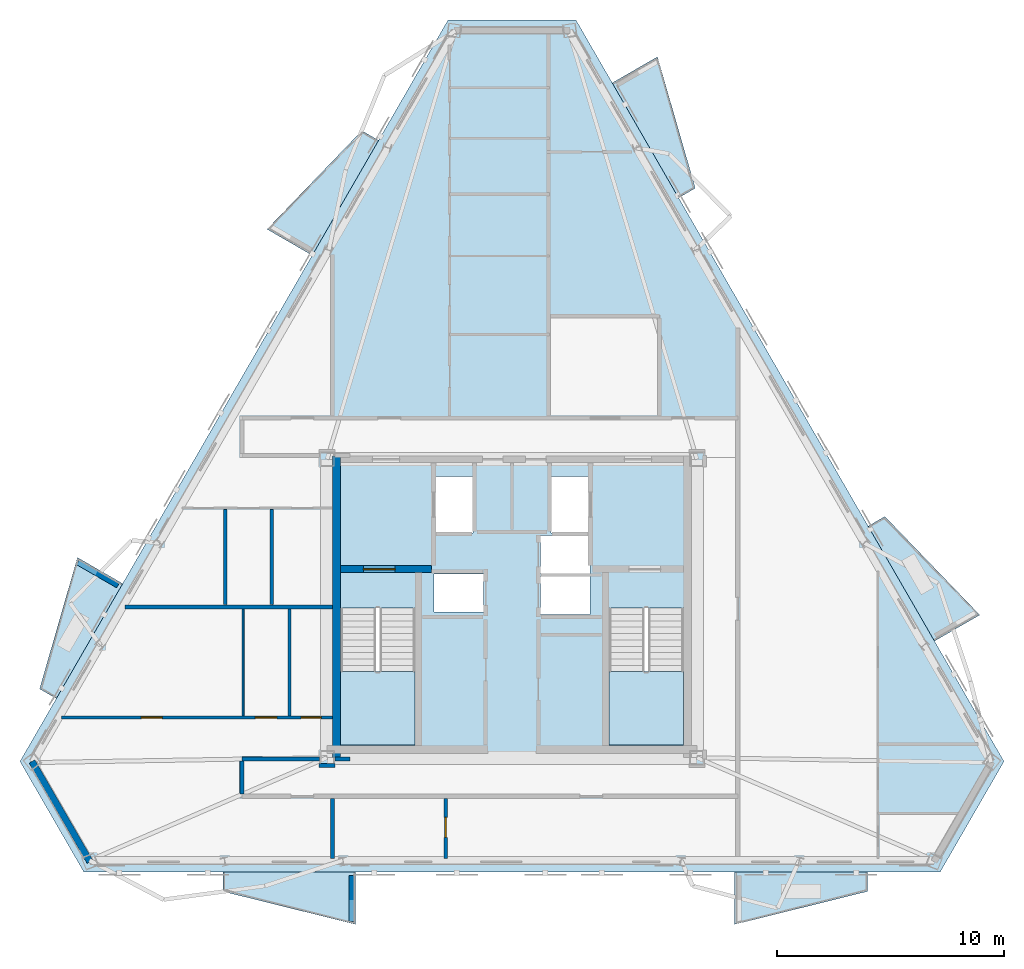
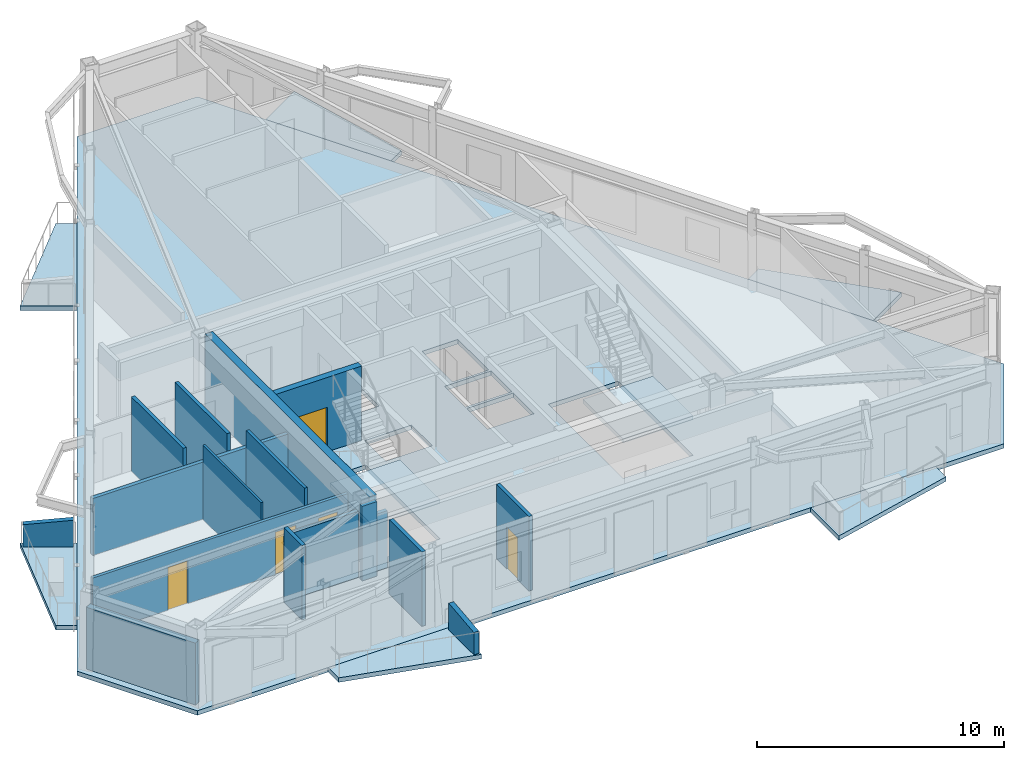
# One storey, part 2 of 9: 17 walls, 9 slabs, 5 doors, 5 openings, 2 elements without a shape of their own.
"""IFC4 building model written with IfcOpenShell, lengths in metres."""

from ifc_helpers import new_model, si_unit, direction, frame, frame_2d, origin, place, context, subcontext, project, spatial, polyline, rectangle, outline, extrude, material, layer, layer_set, type_object, element, fill, aggregate, save


model = new_model("IFC4")

# Units and contexts
model_context = context("Model", 3, precision=1e-05, world=origin(), true_north=direction((0.0, 1.0)))
body_context = subcontext(model_context, "Body", "Model", "MODEL_VIEW")
ifc_project = project(units=[si_unit("LENGTHUNIT", "METRE"), si_unit("AREAUNIT", "SQUARE_METRE"), si_unit("VOLUMEUNIT", "CUBIC_METRE"), si_unit("PLANEANGLEUNIT", "RADIAN"), si_unit("MASSUNIT", "GRAM", prefix="KILO")], contexts=[model_context])

# Site, building, storey
site_placement = place(None, origin())
site = spatial("IfcSite", under=ifc_project, at=site_placement, CompositionType="ELEMENT")
building_placement = place(site_placement, origin())
building = spatial("IfcBuilding", under=site, at=building_placement, Name="Oramaril Tower", CompositionType="ELEMENT")
storey_placement = place(building_placement, frame((0.0, 0.0, 261.60009765625)))
storey = spatial("IfcBuildingStorey", under=building, at=storey_placement, Name="L69", CompositionType="ELEMENT", Elevation=261.60009765625)

# Slabs
ifc_material_1 = material(Name="Concrete C40/50", Category="concrete")
ifc_layer_1 = layer(ifc_material_1, 0.199951171875)
ifc_layer_set_1 = layer_set([ifc_layer_1], Name="SLT-BAL20")
slab_type_1 = type_object("IfcSlabType", Name="SLT-BAL20", PredefinedType="FLOOR", material=ifc_layer_set_1)
slab_1_placement = place(storey_placement, frame((0.0, 0.0, -0.22021484375)))
element("IfcSlab", 1, at=slab_1_placement, inside=storey, type_object=slab_type_1, Name="L69 Cantilevered Balcony Slab L69-BAL-S1", PredefinedType="FLOOR", context=body_context, shape_type="SweptSolid", body=[
    extrude(outline(polyline([(24.759521484375, 5.956298828125), (30.609375, 5.956298828125), (30.609375, 3.654296875), (24.759521484375, 5.1044921875), (24.759521484375, 5.956298828125)])), origin(), (0.0, 0.0, 1.0), 0.22021484375),
])
slab_2_placement = place(storey_placement, frame((0.0, 0.0, -0.22021484375)))
element("IfcSlab", 2, at=slab_2_placement, inside=storey, type_object=slab_type_1, Name="L69 Cantilevered Balcony Slab L69-BAL-NE2", PredefinedType="FLOOR", context=body_context, shape_type="SweptSolid", body=[
    extrude(outline(polyline([(44.8408203125, 35.67236328125), (41.916015625, 40.738525390625), (43.909423828125, 41.8896484375), (45.57861328125, 36.098388671875), (44.8408203125, 35.67236328125)])), origin(), (0.0, 0.0, 1.0), 0.22021484375),
])
slab_3_placement = place(storey_placement, frame((0.0, 0.0, -0.22021484375)))
element("IfcSlab", 3, at=slab_3_placement, inside=storey, type_object=slab_type_1, Name="L69 Cantilevered Balcony Slab L69-BAL-NW1", PredefinedType="FLOOR", context=body_context, shape_type="SweptSolid", body=[
    extrude(outline(polyline([(31.62158203125, 38.20556640625), (28.696533203125, 33.13916015625), (26.702880859375, 34.290283203125), (30.8837890625, 38.631591796875), (31.62158203125, 38.20556640625)])), origin(), (0.0, 0.0, 1.0), 0.22021484375),
])
ifc_material_2 = material(Name="Concrete C50/60", Category="concrete")
ifc_layer_2 = layer(ifc_material_2, 0.219970703125)
ifc_layer_set_2 = layer_set([ifc_layer_2], Name="SLT-FLR22")
slab_type_2 = type_object("IfcSlabType", Name="SLT-FLR22", PredefinedType="FLOOR", material=ifc_layer_set_2)
slab_4_placement = place(storey_placement, frame((0.0, 0.0, -0.22021484375)))
element("IfcSlab", 4, at=slab_4_placement, inside=storey, type_object=slab_type_2, Name="L69 Structural Floor Slab", PredefinedType="FLOOR", context=body_context, shape_type="SweptSolid", body=[
    extrude(outline(polyline([(15.81689453125, 10.834716796875), (18.634521484375, 5.954345703125), (56.365478515625, 5.954345703125), (59.18310546875, 10.834716796875), (40.317626953125, 43.510986328125), (34.682373046875, 43.510986328125), (15.81689453125, 10.834716796875)]), holes=[polyline([(29.949951171875, 17.58935546875), (29.949951171875, 11.550048828125), (33.219970703125, 11.550048828125), (33.219970703125, 17.58935546875), (29.949951171875, 17.58935546875)]), polyline([(41.780029296875, 17.58935546875), (41.780029296875, 11.550048828125), (45.050048828125, 11.550048828125), (45.050048828125, 17.58935546875), (41.780029296875, 17.58935546875)]), polyline([(34.110107421875, 20.909912109375), (35.7900390625, 20.909912109375), (35.7900390625, 23.389892578125), (34.110107421875, 23.389892578125), (34.110107421875, 20.909912109375)]), polyline([(39.2099609375, 20.909912109375), (40.889892578125, 20.909912109375), (40.889892578125, 23.389892578125), (39.2099609375, 23.389892578125), (39.2099609375, 20.909912109375)]), polyline([(34.06005859375, 17.409912109375), (36.239990234375, 17.409912109375), (36.239990234375, 19.090087890625), (34.06005859375, 19.090087890625), (34.06005859375, 17.409912109375)]), polyline([(38.760009765625, 17.31005859375), (40.93994140625, 17.31005859375), (40.93994140625, 18.989990234375), (38.760009765625, 18.989990234375), (38.760009765625, 17.31005859375)]), polyline([(38.760009765625, 19.110107421875), (40.93994140625, 19.110107421875), (40.93994140625, 20.7900390625), (38.760009765625, 20.7900390625), (38.760009765625, 19.110107421875)])]), origin(), (0.0, 0.0, 1.0), 0.22021484375),
])

# Stair, slab
ifc_material_3 = material(Name="Concrete C50/60", Category="concrete")
stair_type = type_object("IfcStairType", Name="STT-DG-3900", PredefinedType="HALF_TURN_STAIR", material=ifc_material_3)
stair_1_placement = place(storey_placement, origin())
stair_1 = element("IfcStair", 5, at=stair_1_placement, inside=storey, type_object=stair_type, Name="L69 Protected PFP Exit Stair ST-1", PredefinedType="HALF_TURN_STAIR")
ifc_material_4 = material(Name="Concrete C50/60", Category="concrete")
ifc_layer_3 = layer(ifc_material_4, 0.199951171875)
ifc_layer_set_3 = layer_set([ifc_layer_3], Name="SLT-LND20")
slab_type_3 = type_object("IfcSlabType", Name="SLT-LND20", PredefinedType="LANDING", material=ifc_layer_set_3)
slab_5_placement = place(storey_placement, frame((0.0, 0.0, 1.75)))
slab_5 = element("IfcSlab", 6, at=slab_5_placement, type_object=slab_type_3, Name="ST-1 landing 1", PredefinedType="LANDING", context=body_context, shape_type="SweptSolid", body=[
    extrude(outline(polyline([(29.949951171875, 14.7900390625), (29.949951171875, 11.550048828125), (33.219970703125, 11.550048828125), (33.219970703125, 14.7900390625), (29.949951171875, 14.7900390625)])), origin(), (0.0, 0.0, 1.0), 0.199951171875),
])
aggregate(stair_1, [slab_5])

stair_2_placement = place(storey_placement, origin())
stair_2 = element("IfcStair", 7, at=stair_2_placement, inside=storey, type_object=stair_type, Name="L69 Protected PFP Exit Stair ST-2", PredefinedType="HALF_TURN_STAIR")
slab_6_placement = place(storey_placement, frame((0.0, 0.0, 1.75)))
slab_6 = element("IfcSlab", 8, at=slab_6_placement, type_object=slab_type_3, Name="ST-2 landing 1", PredefinedType="LANDING", context=body_context, shape_type="SweptSolid", body=[
    extrude(outline(polyline([(41.780029296875, 14.7900390625), (41.780029296875, 11.550048828125), (45.050048828125, 11.550048828125), (45.050048828125, 14.7900390625), (41.780029296875, 14.7900390625)])), origin(), (0.0, 0.0, 1.0), 0.199951171875),
])
aggregate(stair_2, [slab_6])

# Slabs
ifc_material_5 = material(Name="Concrete C40/50", Category="concrete")
ifc_layer_4 = layer(ifc_material_5, 0.18994140625)
ifc_layer_set_4 = layer_set([ifc_layer_4], Name="SLT-PLN19")
slab_type_4 = type_object("IfcSlabType", Name="SLT-PLN19", PredefinedType="FLOOR", material=ifc_layer_set_4)
slab_7_placement = place(storey_placement, frame((0.0, 0.0, -0.22021484375)))
element("IfcSlab", 9, at=slab_7_placement, inside=storey, type_object=slab_type_4, Name="L69 Tree Planter Balcony Slab L69-BAL-S2", PredefinedType="FLOOR", context=body_context, shape_type="SweptSolid", body=[
    extrude(outline(polyline([(47.315673828125, 5.956298828125), (53.16552734375, 5.956298828125), (53.16552734375, 5.1044921875), (47.315673828125, 3.654296875), (47.315673828125, 5.956298828125)])), origin(), (0.0, 0.0, 1.0), 0.22021484375),
])
slab_8_placement = place(storey_placement, frame((0.0, 0.0, -0.22021484375)))
element("IfcSlab", 10, at=slab_8_placement, inside=storey, type_object=slab_type_4, Name="L69 Tree Planter Balcony Slab L69-BAL-NE1", PredefinedType="FLOOR", context=body_context, shape_type="SweptSolid", body=[
    extrude(outline(polyline([(56.118896484375, 16.13818359375), (53.194091796875, 21.204345703125), (53.931884765625, 21.63037109375), (58.112548828125, 17.2890625), (56.118896484375, 16.13818359375)])), origin(), (0.0, 0.0, 1.0), 0.22021484375),
])
slab_9_placement = place(storey_placement, frame((0.0, 0.0, -0.22021484375)))
element("IfcSlab", 11, at=slab_9_placement, inside=storey, type_object=slab_type_4, Name="L69 Tree Planter Balcony Slab L69-BAL-NW2", PredefinedType="FLOOR", context=body_context, shape_type="SweptSolid", body=[
    extrude(outline(polyline([(20.343505859375, 18.671142578125), (17.41845703125, 13.60498046875), (16.6806640625, 14.031005859375), (18.349853515625, 19.822265625), (20.343505859375, 18.671142578125)])), origin(), (0.0, 0.0, 1.0), 0.22021484375),
])

# Walls
ifc_material_6 = material(Name="Warm Cream Limestone", Category="masonry")
ifc_layer_5 = layer(ifc_material_6, 0.2900390625)
ifc_layer_set_5 = layer_set([ifc_layer_5], Name="WT-EXT29")
wall_type_1 = type_object("IfcWallType", Name="WT-EXT29", PredefinedType="SOLIDWALL", material=ifc_layer_set_5)
wall_1_placement = place(storey_placement, frame((16.347900390625, 10.834716796875, 0.0), z_axis=(0.0, 0.0, 1.0), x_axis=(0.499981920546, -0.866035841711, 0.0)))
element("IfcWall", 12, at=wall_1_placement, inside=storey, type_object=wall_type_1, Name="L69 Tower Limestone Facade Wall 1M", PredefinedType="SOLIDWALL", context=body_context, shape_type="SweptSolid", body=[
    extrude(rectangle(XDim=5.104248046875, YDim=0.2900390625, at=frame_2d((2.55224609375, 0.0))), origin(), (0.0, 0.0, 1.0), 3.057861328125),
])
ifc_material_7 = material(Name="Concrete C40/50", Category="concrete")
ifc_layer_6 = layer(ifc_material_7, 0.22998046875)
ifc_layer_set_6 = layer_set([ifc_layer_6], Name="WT-PRP23")
wall_type_2 = type_object("IfcWallType", Name="WT-PRP23", PredefinedType="PARAPET", material=ifc_layer_set_6)
for number, where, z_axis, x_axis, name in (
    (13, (30.429443359375, 5.81640625, 0.0), (0.0, 0.0, 1.0), (0.0, -1.0, 0.0), "L69 Trapezoidal Balcony Frame Cheek L69-BAL-S1-R"),
    (14, (20.13232421875, 18.585205078125, 0.0), (0.0, 0.0, 1.0), (-0.866012356593, 0.500022597718, 0.0), "L69 Trapezoidal Balcony Frame Cheek L69-BAL-NW2-L"),
):
    element("IfcWall", number, at=place(storey_placement, frame(where, z_axis=z_axis, x_axis=x_axis)), inside=storey, type_object=wall_type_2, Name=name, PredefinedType="PARAPET", context=body_context, shape_type="SweptSolid", body=[
        extrude(outline(polyline([(0.0, 0.0), (2.0419921875, 0.0), (2.0419921875, 1.099853515625), (0.0, 1.31982421875), (0.0, 0.0)])), frame((0.0, 0.114990234375, 0.0), z_axis=(0.0, -1.0, 0.0), x_axis=(1.0, 0.0, 0.0)), (0.0, 0.0, 1.0), 0.22998046875),
    ])
ifc_material_8 = material(Name="Acoustic Gypsum Board Partition")
ifc_layer_7 = layer(ifc_material_8, 0.10009765625)
ifc_layer_set_7 = layer_set([ifc_layer_7], Name="WT-PT10")
wall_type_3 = type_object("IfcWallType", Name="WT-PT10", PredefinedType="PARTITIONING", material=ifc_layer_set_7)
wall_2_placement = place(storey_placement, frame((25.639892578125, 12.843994140625, 0.0), z_axis=(0.0, 0.0, 1.0), x_axis=(0.0, 1.0, 0.0)))
element("IfcWall", 15, at=wall_2_placement, inside=storey, type_object=wall_type_3, Name="L69 Interior Partition PT-10", PredefinedType="PARTITIONING", context=body_context, shape_type="SweptSolid", body=[
    extrude(rectangle(XDim=4.7119140625, YDim=0.10009765625, at=frame_2d((2.35595703125, 0.0))), origin(), (0.0, 0.0, 1.0), 3.679931640625),
])

# Wall, openings, doors
ifc_material_9 = material(Name="Acoustic Gypsum Board Partition")
ifc_layer_8 = layer(ifc_material_9, 0.139892578125)
ifc_layer_set_8 = layer_set([ifc_layer_8], Name="WT-PT14")
wall_type_4 = type_object("IfcWallType", Name="WT-PT14", PredefinedType="PARTITIONING", material=ifc_layer_set_8)
wall_3_placement = place(storey_placement, frame((17.637451171875, 12.77001953125, 0.0), z_axis=(0.0, 0.0, 1.0), x_axis=(1.0, 0.0, 0.0)))
wall_3 = element("IfcWall", 16, at=wall_3_placement, inside=storey, type_object=wall_type_4, Name="L69 Interior Partition PT-14", PredefinedType="PARTITIONING", context=body_context, shape_type="SweptSolid", body=[
    extrude(rectangle(XDim=11.948486328125, YDim=0.139892578125, at=frame_2d((5.97412109375, 0.0))), origin(), (0.0, 0.0, 1.0), 2.81982421875),
])
opening_1_placement = place(wall_3_placement, frame((3.527587890625, 0.0, 0.0)))
opening_1 = element("IfcOpeningElement", 17, at=opening_1_placement, cuts=wall_3, Name="Opening D-L69-03", PredefinedType="OPENING", context=body_context, shape_type="SweptSolid", body=[
    extrude(rectangle(XDim=0.919921875, YDim=2.1201171875, at=frame_2d((0.4599609375, 1.06005859375))), frame((0.0, 0.06982421875, 0.0), z_axis=(0.0, -1.0, 0.0), x_axis=(1.0, 0.0, 0.0)), (0.0, 0.0, 1.0), 0.139892578125),
])
opening_2_placement = place(wall_3_placement, frame((8.552490234375, 0.0, 0.0)))
opening_2 = element("IfcOpeningElement", 18, at=opening_2_placement, cuts=wall_3, Name="Opening D-L69-04", PredefinedType="OPENING", context=body_context, shape_type="SweptSolid", body=[
    extrude(rectangle(XDim=0.949951171875, YDim=2.10009765625, at=frame_2d((0.47509765625, 1.050048828125))), frame((0.0, 0.06982421875, 0.0), z_axis=(0.0, -1.0, 0.0), x_axis=(1.0, 0.0, 0.0)), (0.0, 0.0, 1.0), 0.139892578125),
])
opening_3_placement = place(wall_3_placement, frame((10.572509765625, 0.0, 0.0)))
opening_3 = element("IfcOpeningElement", 19, at=opening_3_placement, cuts=wall_3, Name="Opening D-L69-05", PredefinedType="OPENING", context=body_context, shape_type="SweptSolid", body=[
    extrude(rectangle(XDim=0.8798828125, YDim=2.080078125, at=frame_2d((0.43994140625, 1.0400390625))), frame((0.0, 0.06982421875, 0.0), z_axis=(0.0, -1.0, 0.0), x_axis=(1.0, 0.0, 0.0)), (0.0, 0.0, 1.0), 0.139892578125),
])
ifc_material_10 = material(Name="FSC Brazilian Freijo Hardwood", Category="wood")
door_type_1 = type_object("IfcDoorType", Name="DT-BATH", OperationType="NOTDEFINED", PredefinedType="DOOR", material=ifc_material_10)
door_1_placement = place(opening_3_placement, origin())
door_1 = element("IfcDoor", 20, at=door_1_placement, inside=storey, type_object=door_type_1, Name="L69 Flat L69-U2 Bathroom Door D-L69-05", OperationType="SINGLE_SWING_RIGHT", OverallHeight=2.080078125, OverallWidth=0.8798828125, PredefinedType="DOOR", context=body_context, shape_type="SweptSolid", body=[
    extrude(rectangle(XDim=0.8798828125, YDim=2.080078125, at=frame_2d((0.43994140625, 1.0400390625))), frame((0.0, 0.02490234375, 0.0), z_axis=(0.0, -1.0, 0.0), x_axis=(1.0, 0.0, 0.0)), (0.0, 0.0, 1.0), 0.050048828125),
])
fill(opening_3, door_1)
ifc_material_11 = material(Name="FSC Brazilian Freijo Hardwood", Category="wood")
door_type_2 = type_object("IfcDoorType", Name="DT-BED", OperationType="NOTDEFINED", PredefinedType="DOOR", material=ifc_material_11)
door_2_placement = place(opening_1_placement, origin())
door_2 = element("IfcDoor", 21, at=door_2_placement, inside=storey, type_object=door_type_2, Name="L69 Flat L69-U2 Master Bedroom Door D-L69-03", OperationType="SINGLE_SWING_RIGHT", OverallHeight=2.1201171875, OverallWidth=0.919921875, PredefinedType="DOOR", context=body_context, shape_type="SweptSolid", body=[
    extrude(rectangle(XDim=0.919921875, YDim=2.1201171875, at=frame_2d((0.4599609375, 1.06005859375))), frame((0.0, 0.02490234375, 0.0), z_axis=(0.0, -1.0, 0.0), x_axis=(1.0, 0.0, 0.0)), (0.0, 0.0, 1.0), 0.050048828125),
])
fill(opening_1, door_2)
ifc_material_12 = material(Name="FSC Brazilian Freijo Hardwood", Category="wood")
door_type_3 = type_object("IfcDoorType", Name="DT-STDY", OperationType="NOTDEFINED", PredefinedType="DOOR", material=ifc_material_12)
door_3_placement = place(opening_2_placement, origin())
door_3 = element("IfcDoor", 22, at=door_3_placement, inside=storey, type_object=door_type_3, Name="L69 Flat L69-U2 Kitchen Door D-L69-04", OperationType="SINGLE_SWING_LEFT", OverallHeight=2.10009765625, OverallWidth=0.949951171875, PredefinedType="DOOR", context=body_context, shape_type="SweptSolid", body=[
    extrude(rectangle(XDim=0.949951171875, YDim=2.10009765625, at=frame_2d((0.47509765625, 1.050048828125))), frame((0.0, 0.02490234375, 0.0), z_axis=(0.0, -1.0, 0.0), x_axis=(1.0, 0.0, 0.0)), (0.0, 0.0, 1.0), 0.050048828125),
])
fill(opening_2, door_3)

# Walls
wall_4_placement = place(storey_placement, frame((27.68994140625, 12.843994140625, 0.0), z_axis=(0.0, 0.0, 1.0), x_axis=(0.0, 1.0, 0.0)))
element("IfcWall", 23, at=wall_4_placement, inside=storey, type_object=wall_type_4, Name="L69 Interior Partition PT-14", PredefinedType="PARTITIONING", context=body_context, shape_type="SweptSolid", body=[
    extrude(rectangle(XDim=4.7119140625, YDim=0.139892578125, at=frame_2d((2.35595703125, 0.0))), origin(), (0.0, 0.0, 1.0), 3.679931640625),
])
ifc_material_13 = material(Name="Acoustic Gypsum Board Partition")
ifc_layer_9 = layer(ifc_material_13, 0.159912109375)
ifc_layer_set_9 = layer_set([ifc_layer_9], Name="WT-PT16")
wall_type_5 = type_object("IfcWallType", Name="WT-PT16", PredefinedType="PARTITIONING", material=ifc_layer_set_9)
for number, where, z_axis, x_axis, name in (
    (24, (24.860107421875, 17.743896484375, 0.0), (0.0, 0.0, 1.0), (0.0, 1.0, 0.0), "L69 Interior Partition PT-16"),
    (25, (26.909912109375, 17.743896484375, 0.0), (0.0, 0.0, 1.0), (0.0, 1.0, 0.0), "L69 Interior Partition PT-16"),
):
    element("IfcWall", number, at=place(storey_placement, frame(where, z_axis=z_axis, x_axis=x_axis)), inside=storey, type_object=wall_type_5, Name=name, PredefinedType="PARTITIONING", context=body_context, shape_type="SweptSolid", body=[
        extrude(rectangle(XDim=4.2021484375, YDim=0.159912109375, at=frame_2d((2.10107421875, 0.0))), origin(), (0.0, 0.0, 1.0), 3.679931640625),
    ])

# Wall, opening, door
wall_5_placement = place(storey_placement, frame((34.580078125, 6.5634765625, 0.0), z_axis=(0.0, 0.0, 1.0), x_axis=(0.0, 1.0, 0.0)))
wall_5 = element("IfcWall", 26, at=wall_5_placement, inside=storey, type_object=wall_type_5, Name="L69 Interior Partition PT-16", PredefinedType="PARTITIONING", context=body_context, shape_type="SweptSolid", body=[
    extrude(rectangle(XDim=2.642578125, YDim=0.159912109375, at=frame_2d((1.3212890625, 0.0))), origin(), (0.0, 0.0, 1.0), 3.679931640625),
])
opening_4_placement = place(wall_5_placement, frame((0.9287109375, 0.0, 0.0)))
opening_4 = element("IfcOpeningElement", 27, at=opening_4_placement, cuts=wall_5, Name="Opening D-L69-14", PredefinedType="OPENING", context=body_context, shape_type="SweptSolid", body=[
    extrude(rectangle(XDim=0.8798828125, YDim=2.080078125, at=frame_2d((0.43994140625, 1.0400390625))), frame((0.0, 0.080078125, 0.0), z_axis=(0.0, -1.0, 0.0), x_axis=(1.0, 0.0, 0.0)), (0.0, 0.0, 1.0), 0.159912109375),
])
door_4_placement = place(opening_4_placement, origin())
door_4 = element("IfcDoor", 28, at=door_4_placement, inside=storey, type_object=door_type_1, Name="L69 Flat L69-U1 Bathroom Door D-L69-14", OperationType="SINGLE_SWING_LEFT", OverallHeight=2.080078125, OverallWidth=0.8798828125, PredefinedType="DOOR", context=body_context, shape_type="SweptSolid", body=[
    extrude(rectangle(XDim=0.8798828125, YDim=2.080078125, at=frame_2d((0.43994140625, 1.0400390625))), frame((0.0, 0.02490234375, 0.0), z_axis=(0.0, -1.0, 0.0), x_axis=(1.0, 0.0, 0.0)), (0.0, 0.0, 1.0), 0.050048828125),
])
fill(opening_4, door_4)

# Walls
ifc_material_14 = material(Name="Autoclaved Cellular Concrete Block", Category="concrete")
ifc_layer_10 = layer(ifc_material_14, 0.179931640625)
ifc_layer_set_10 = layer_set([ifc_layer_10], Name="WT-PT18")
wall_type_6 = type_object("IfcWallType", Name="WT-PT18", PredefinedType="PARTITIONING", material=ifc_layer_set_10)
wall_6_placement = place(storey_placement, frame((29.0048828125, 10.64990234375, 0.0), z_axis=(0.0, 0.0, 1.0), x_axis=(1.0, 0.0, 0.0)))
element("IfcWall", 29, at=wall_6_placement, inside=storey, type_object=wall_type_6, Name="L69 Interior Partition PT-18", PredefinedType="PARTITIONING", context=body_context, shape_type="SweptSolid", body=[
    extrude(rectangle(XDim=0.690185546875, YDim=0.179931640625, at=frame_2d((0.34521484375, 0.0))), origin(), (0.0, 0.0, 1.0), 3.679931640625),
])
wall_7_placement = place(storey_placement, frame((25.60009765625, 10.949951171875, 0.0), z_axis=(0.0, 0.0, 1.0), x_axis=(1.0, 0.0, 0.0)))
element("IfcWall", 30, at=wall_7_placement, inside=storey, type_object=wall_type_6, Name="L69 Interior Partition PT-18", PredefinedType="PARTITIONING", context=body_context, shape_type="SweptSolid", body=[
    extrude(rectangle(XDim=3.409912109375, YDim=0.179931640625, at=frame_2d((1.705078125, 0.0))), origin(), (0.0, 0.0, 1.0), 3.265869140625),
])
wall_8_placement = place(storey_placement, frame((29.68994140625, 10.949951171875, 0.0), z_axis=(0.0, 0.0, 1.0), x_axis=(1.0, 0.0, 0.0)))
element("IfcWall", 31, at=wall_8_placement, inside=storey, type_object=wall_type_6, Name="L69 Interior Partition PT-18", PredefinedType="PARTITIONING", context=body_context, shape_type="SweptSolid", body=[
    extrude(rectangle(XDim=0.6650390625, YDim=0.179931640625, at=frame_2d((0.33251953125, 0.0))), origin(), (0.0, 0.0, 1.0), 2.81982421875),
])
wall_9_placement = place(storey_placement, frame((20.454833984375, 17.64990234375, 0.0), z_axis=(0.0, 0.0, 1.0), x_axis=(1.0, 0.0, 0.0)))
element("IfcWall", 32, at=wall_9_placement, inside=storey, type_object=wall_type_6, Name="L69 Interior Partition PT-18", PredefinedType="PARTITIONING", context=body_context, shape_type="SweptSolid", body=[
    extrude(rectangle(XDim=9.131103515625, YDim=0.179931640625, at=frame_2d((4.5654296875, 0.0))), origin(), (0.0, 0.0, 1.0), 2.81982421875),
])
wall_10_placement = place(storey_placement, frame((25.60009765625, 9.39404296875, 0.0), z_axis=(0.0, 0.0, 1.0), x_axis=(0.0, 1.0, 0.0)))
element("IfcWall", 33, at=wall_10_placement, inside=storey, type_object=wall_type_6, Name="L69 Interior Partition PT-18", PredefinedType="PARTITIONING", context=body_context, shape_type="SweptSolid", body=[
    extrude(rectangle(XDim=1.4619140625, YDim=0.179931640625, at=frame_2d((0.73095703125, 0.0))), origin(), (0.0, 0.0, 1.0), 3.679931640625),
])
wall_11_placement = place(storey_placement, frame((29.580078125, 6.5634765625, 0.0), z_axis=(0.0, 0.0, 1.0), x_axis=(0.0, 1.0, 0.0)))
element("IfcWall", 34, at=wall_11_placement, inside=storey, type_object=wall_type_6, Name="L69 Interior Partition PT-18", PredefinedType="PARTITIONING", context=body_context, shape_type="SweptSolid", body=[
    extrude(rectangle(XDim=2.642578125, YDim=0.179931640625, at=frame_2d((1.3212890625, 0.0))), origin(), (0.0, 0.0, 1.0), 3.679931640625),
])

# Wall, opening, door
ifc_material_15 = material(Name="Concrete C50/60", Category="concrete")
ifc_layer_11 = layer(ifc_material_15, 0.300048828125)
ifc_layer_set_11 = layer_set([ifc_layer_11], Name="WT-SH30")
wall_type_7 = type_object("IfcWallType", Name="WT-SH30", PredefinedType="SHEAR", material=ifc_layer_set_11)
wall_12_placement = place(storey_placement, frame((29.93994140625, 19.31005859375, 0.0), z_axis=(0.0, 0.0, 1.0), x_axis=(1.0, 0.0, 0.0)))
wall_12 = element("IfcWall", 35, at=wall_12_placement, inside=storey, type_object=wall_type_7, Name="L69 Core Shear Wall CW-ST1N", PredefinedType="SHEAR", context=body_context, shape_type="SweptSolid", body=[
    extrude(rectangle(XDim=4.010009765625, YDim=0.300048828125, at=frame_2d((2.0048828125, 0.0))), origin(), (0.0, 0.0, 1.0), 3.679931640625),
])
opening_5_placement = place(wall_12_placement, frame((1.010009765625, 0.0, 0.0)))
opening_5 = element("IfcOpeningElement", 36, at=opening_5_placement, cuts=wall_12, Name="Opening D-L69-ST1", PredefinedType="OPENING", context=body_context, shape_type="SweptSolid", body=[
    extrude(rectangle(XDim=1.39990234375, YDim=2.199951171875, at=frame_2d((0.699951171875, 1.10009765625))), frame((0.0, 0.14990234375, 0.0), z_axis=(0.0, -1.0, 0.0), x_axis=(1.0, 0.0, 0.0)), (0.0, 0.0, 1.0), 0.300048828125),
])
ifc_material_16 = material(Name="Painted Galvanised Steel", Category="steel")
door_type_4 = type_object("IfcDoorType", Name="DT-ST", OperationType="NOTDEFINED", PredefinedType="DOOR", material=ifc_material_16)
door_5_placement = place(opening_5_placement, origin())
door_5 = element("IfcDoor", 37, at=door_5_placement, inside=storey, type_object=door_type_4, Name="L69 Protected Stair ST-1 Fire Door", OperationType="SINGLE_SWING_LEFT", OverallHeight=2.199951171875, OverallWidth=1.39990234375, PredefinedType="DOOR", context=body_context, shape_type="SweptSolid", body=[
    extrude(rectangle(XDim=1.39990234375, YDim=2.199951171875, at=frame_2d((0.699951171875, 1.10009765625))), frame((0.0, 0.02490234375, 0.0), z_axis=(0.0, -1.0, 0.0), x_axis=(1.0, 0.0, 0.0)), (0.0, 0.0, 1.0), 0.050048828125),
])
fill(opening_5, door_5)

# Wall
ifc_material_17 = material(Name="Concrete C50/60", Category="concrete")
ifc_layer_12 = layer(ifc_material_17, 0.35009765625)
ifc_layer_set_12 = layer_set([ifc_layer_12], Name="WT-SH35")
wall_type_8 = type_object("IfcWallType", Name="WT-SH35", PredefinedType="SHEAR", material=ifc_layer_set_12)
wall_13_placement = place(storey_placement, frame((29.764892578125, 11.0, 0.0), z_axis=(0.0, 0.0, 1.0), x_axis=(0.0, 1.0, 0.0)))
element("IfcWall", 38, at=wall_13_placement, inside=storey, type_object=wall_type_8, Name="L69 Core Shear Wall CW-W", PredefinedType="SHEAR", context=body_context, shape_type="SweptSolid", body=[
    extrude(rectangle(XDim=13.300048828125, YDim=0.35009765625, at=frame_2d((6.64990234375, 0.0))), origin(), (0.0, 0.0, 1.0), 3.679931640625),
])

save(model, "model.ifc")
